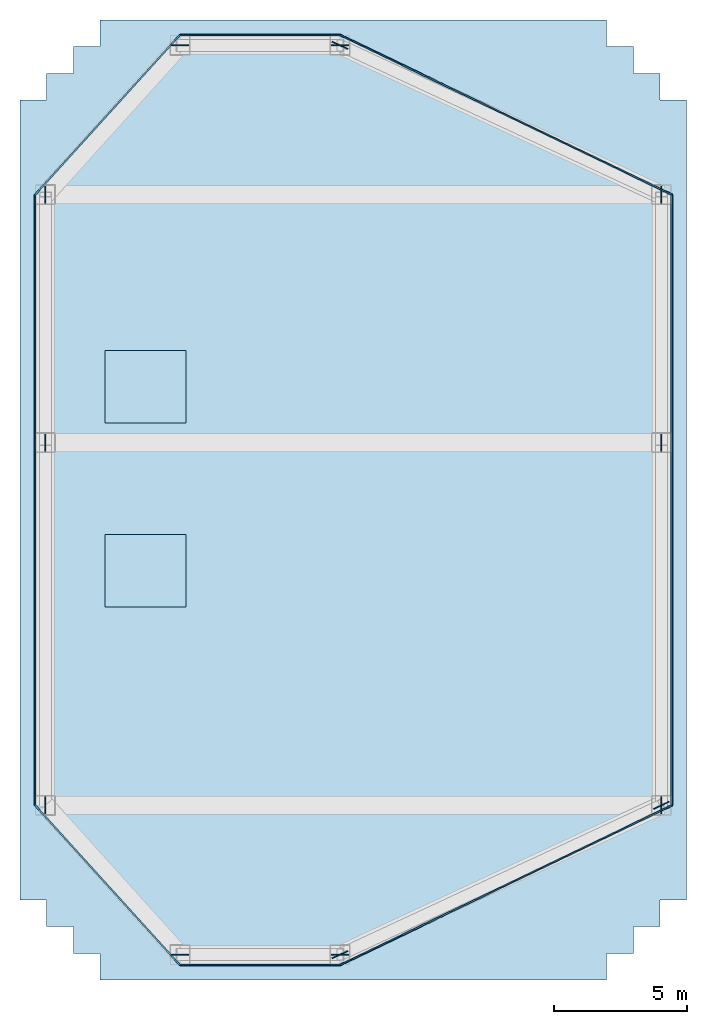
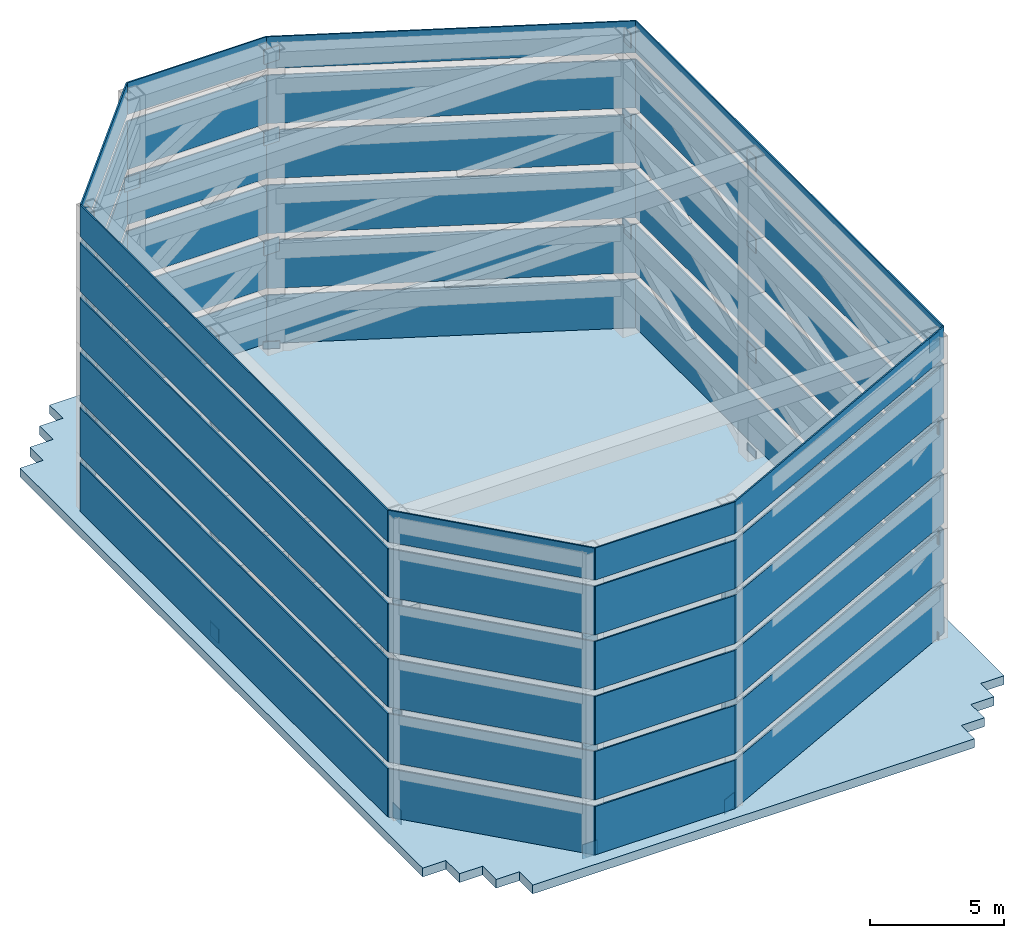
# One storey, part 2 of 2: 83 plates, 3 slabs.
"""IFC4 building model written with IfcOpenShell, lengths in metres."""

from ifc_helpers import new_model, si_unit, direction, frame, origin, origin_2d, place, context, subcontext, project, spatial, polyline, rectangle, outline, extrude, source, transform, mapped, material, layer, layer_set, type_object, element, save


model = new_model("IFC4")

# Units and contexts
model_context = context("Model", 3, precision=1e-05, world=origin(), true_north=direction((0.0, 1.0)))
body_context = subcontext(model_context, "Body", "Model", "MODEL_VIEW")
ifc_project = project(units=[si_unit("LENGTHUNIT", "METRE"), si_unit("AREAUNIT", "SQUARE_METRE"), si_unit("VOLUMEUNIT", "CUBIC_METRE"), si_unit("PLANEANGLEUNIT", "RADIAN"), si_unit("MASSUNIT", "GRAM", prefix="KILO")], contexts=[model_context])

# Site, building, storey
site_placement = place(None, origin())
site = spatial("IfcSite", under=ifc_project, at=site_placement, CompositionType="ELEMENT")
building_placement = place(site_placement, origin())
building = spatial("IfcBuilding", under=site, at=building_placement, Name="Ocotamira Hotel", CompositionType="ELEMENT")
storey_placement = place(building_placement, frame((0.0, 0.0, 314.60009765625)))
storey = spatial("IfcBuildingStorey", under=building, at=storey_placement, Name="ROOF", CompositionType="ELEMENT", Elevation=314.60009765625)

# Slabs
ifc_material_1 = material(Name="Concrete C40/50", Category="concrete")
ifc_layer_1 = layer(ifc_material_1, 0.219970703125)
ifc_layer_set_1 = layer_set([ifc_layer_1], Name="Concrete C40/50")
slab_type_1 = type_object("IfcSlabType", Name="SLB-ROOF-220", PredefinedType="ROOF", material=ifc_layer_set_1)
slab_1_placement = place(storey_placement, frame((0.0, 0.0, 3.39990234375)))
element("IfcSlab", 1, at=slab_1_placement, inside=storey, type_object=slab_type_1, Name="FSAE 1 Overrun Roof Cap Slab", PredefinedType="ROOF", context=body_context, shape_type="SweptSolid", body=[
    extrude(outline(polyline([(11.179931640625, 21.989990234375), (14.219970703125, 21.989990234375), (14.219970703125, 24.7099609375), (11.179931640625, 24.7099609375), (11.179931640625, 21.989990234375)])), origin(), (0.0, 0.0, 1.0), 0.219970703125),
])
slab_2_placement = place(storey_placement, frame((0.0, 0.0, 3.39990234375)))
element("IfcSlab", 2, at=slab_2_placement, inside=storey, type_object=slab_type_1, Name="FSAE 2 Overrun Roof Cap Slab", PredefinedType="ROOF", context=body_context, shape_type="SweptSolid", body=[
    extrude(outline(polyline([(11.179931640625, 28.889892578125), (14.219970703125, 28.889892578125), (14.219970703125, 31.610107421875), (11.179931640625, 31.610107421875), (11.179931640625, 28.889892578125)])), origin(), (0.0, 0.0, 1.0), 0.219970703125),
])
ifc_material_2 = material(Name="Concrete C50/60", Category="concrete")
ifc_layer_2 = layer(ifc_material_2, 0.39990234375)
ifc_layer_set_2 = layer_set([ifc_layer_2], Name="Concrete C50/60")
slab_type_2 = type_object("IfcSlabType", Name="SLB-ROOF-400", PredefinedType="ROOF", material=ifc_layer_set_2)
slab_3_placement = place(storey_placement, origin())
element("IfcSlab", 3, at=slab_3_placement, inside=storey, type_object=slab_type_2, Name="Mechanical Penthouse Roof Deck", PredefinedType="ROOF", context=body_context, shape_type="SweptSolid", body=[
    extrude(outline(polyline([(11.0, 8.0), (30.0, 8.0), (30.0, 9.0), (31.0, 9.0), (31.0, 10.0), (32.0, 10.0), (32.0, 11.0), (33.0, 11.0), (33.0, 41.0), (32.0, 41.0), (32.0, 42.0), (31.0, 42.0), (31.0, 43.0), (30.0, 43.0), (30.0, 44.0), (11.0, 44.0), (11.0, 43.0), (10.0, 43.0), (10.0, 42.0), (9.0, 42.0), (9.0, 41.0), (8.0, 41.0), (8.0, 11.0), (9.0, 11.0), (9.0, 10.0), (10.0, 10.0), (10.0, 9.0), (11.0, 9.0), (11.0, 8.0)]), holes=[polyline([(11.5, 22.199951171875), (14.0, 22.199951171875), (14.0, 24.5), (11.5, 24.5), (11.5, 22.199951171875)]), polyline([(11.5, 29.10009765625), (14.0, 29.10009765625), (14.0, 31.39990234375), (11.5, 31.39990234375), (11.5, 29.10009765625)])]), origin(), (0.0, 0.0, 1.0), 0.39990234375),
])

# Plates
ifc_material_3 = material(Name="Pale-metal coated steel ASTM A572 Grade 50", Category="steel")
ifc_layer_3 = layer(ifc_material_3, 0.0400390625)
ifc_layer_set_3 = layer_set([ifc_layer_3], Name="Pale-metal coated steel ASTM A572 Grade 50")
plate_type_1 = type_object("IfcPlateType", Name="PLT-GUSSET-40", PredefinedType="SHEET", material=ifc_layer_set_3)
shared_shape_1 = source(origin(), body_context, "Body", "SweptSolid", [
    extrude(rectangle(XDim=0.64990234375, YDim=0.0400390625, at=origin_2d()), origin(), (0.0, 0.0, 1.0), 0.64990234375),
])
for number, where, z_axis, x_axis, name in (
    (4, (14.0, 8.949951171875, 0.074951171875), (0.0, 0.0, 1.0), (1.0, 0.0, 0.0), "ROOF CROWN FRAME BRACE B5.1 End Gusset A"),
    (5, (20.0, 8.949951171875, 4.724853515625), (0.0, 0.0, 1.0), (1.0, 0.0, 0.0), "ROOF CROWN FRAME BRACE B5.1 End Gusset B"),
    (6, (14.0, 8.949951171875, 4.724853515625), (0.0, 0.0, 1.0), (1.0, 0.0, 0.0), "ROOF CROWN FRAME BRACE B5.2 End Gusset A"),
    (7, (20.0, 8.949951171875, 9.724853515625), (0.0, 0.0, 1.0), (1.0, 0.0, 0.0), "ROOF CROWN FRAME BRACE B5.2 End Gusset B"),
    (8, (14.0, 8.949951171875, 9.724853515625), (0.0, 0.0, 1.0), (1.0, 0.0, 0.0), "ROOF CROWN FRAME BRACE B5.3 End Gusset A"),
    (9, (20.0, 8.949951171875, 13.425048828125), (0.0, 0.0, 1.0), (1.0, 0.0, 0.0), "ROOF CROWN FRAME BRACE B5.3 End Gusset B"),
    (10, (20.0, 8.949951171875, 0.074951171875), (0.0, 0.0, 1.0), (0.90682343613, 0.421510682766, 0.0), "ROOF CROWN FRAME BRACE B6.1 End Gusset A"),
    (11, (32.050048828125, 14.550048828125, 13.425048828125), (0.0, 0.0, 1.0), (0.90682343613, 0.421510682766, 0.0), "ROOF CROWN FRAME BRACE B6.3 End Gusset B"),
    (12, (14.0, 43.050048828125, 0.074951171875), (0.0, 0.0, 1.0), (1.0, 0.0, 0.0), "ROOF CROWN FRAME BRACE B7.1 End Gusset A"),
    (13, (20.0, 43.050048828125, 4.724853515625), (0.0, 0.0, 1.0), (1.0, 0.0, 0.0), "ROOF CROWN FRAME BRACE B7.1 End Gusset B"),
    (14, (14.0, 43.050048828125, 4.724853515625), (0.0, 0.0, 1.0), (1.0, 0.0, 0.0), "ROOF CROWN FRAME BRACE B7.2 End Gusset A"),
    (15, (20.0, 43.050048828125, 9.724853515625), (0.0, 0.0, 1.0), (1.0, 0.0, 0.0), "ROOF CROWN FRAME BRACE B7.2 End Gusset B"),
    (16, (14.0, 43.050048828125, 9.724853515625), (0.0, 0.0, 1.0), (1.0, 0.0, 0.0), "ROOF CROWN FRAME BRACE B7.3 End Gusset A"),
    (17, (20.0, 43.050048828125, 13.425048828125), (0.0, 0.0, 1.0), (1.0, 0.0, 0.0), "ROOF CROWN FRAME BRACE B7.3 End Gusset B"),
    (18, (20.0, 43.050048828125, 0.074951171875), (0.0, 0.0, 1.0), (0.90682343613, -0.421510682766, 0.0), "ROOF CROWN FRAME BRACE B8.1 End Gusset A"),
):
    element("IfcPlate", number, at=place(storey_placement, frame(where, z_axis=z_axis, x_axis=x_axis)), inside=storey, type_object=plate_type_1, Name=name, PredefinedType="SHEET", context=body_context, shape_type="MappedRepresentation", body=[
        mapped(shared_shape_1, transform((0.0, 0.0, 0.0), scale=1.0)),
    ])
shared_shape_2 = source(origin(), body_context, "Body", "SweptSolid", [
    extrude(rectangle(XDim=0.0400390625, YDim=0.64990234375, at=origin_2d()), origin(), (0.0, 0.0, 1.0), 0.64990234375),
])
for number, where, z_axis, x_axis, name in (
    (19, (8.949951171875, 14.550048828125, 0.074951171875), (0.0, 0.0, 1.0), (1.0, 0.0, 0.0), "ROOF CROWN FRAME BRACE B1.1 End Gusset A"),
    (20, (8.949951171875, 28.14990234375, 4.724853515625), (0.0, 0.0, 1.0), (1.0, 0.0, 0.0), "ROOF CROWN FRAME BRACE B1.1 End Gusset B"),
    (21, (8.949951171875, 14.550048828125, 4.724853515625), (0.0, 0.0, 1.0), (1.0, 0.0, 0.0), "ROOF CROWN FRAME BRACE B1.2 End Gusset A"),
    (22, (8.949951171875, 28.14990234375, 9.724853515625), (0.0, 0.0, 1.0), (1.0, 0.0, 0.0), "ROOF CROWN FRAME BRACE B1.2 End Gusset B"),
    (23, (8.949951171875, 14.550048828125, 9.724853515625), (0.0, 0.0, 1.0), (1.0, 0.0, 0.0), "ROOF CROWN FRAME BRACE B1.3 End Gusset A"),
    (24, (8.949951171875, 28.14990234375, 13.425048828125), (0.0, 0.0, 1.0), (1.0, 0.0, 0.0), "ROOF CROWN FRAME BRACE B1.3 End Gusset B"),
    (25, (8.949951171875, 28.14990234375, 0.074951171875), (0.0, 0.0, 1.0), (1.0, 0.0, 0.0), "ROOF CROWN FRAME BRACE B2.1 End Gusset A"),
    (26, (8.949951171875, 37.449951171875, 4.724853515625), (0.0, 0.0, 1.0), (1.0, 0.0, 0.0), "ROOF CROWN FRAME BRACE B2.1 End Gusset B"),
    (27, (8.949951171875, 37.449951171875, 9.724853515625), (0.0, 0.0, 1.0), (1.0, 0.0, 0.0), "ROOF CROWN FRAME BRACE B2.2 End Gusset B"),
    (28, (8.949951171875, 37.449951171875, 13.425048828125), (0.0, 0.0, 1.0), (1.0, 0.0, 0.0), "ROOF CROWN FRAME BRACE B2.3 End Gusset B"),
    (29, (32.050048828125, 14.550048828125, 0.074951171875), (0.0, 0.0, 1.0), (1.0, 0.0, 0.0), "ROOF CROWN FRAME BRACE B3.1 End Gusset A"),
    (30, (32.050048828125, 28.14990234375, 4.724853515625), (0.0, 0.0, 1.0), (1.0, 0.0, 0.0), "ROOF CROWN FRAME BRACE B3.1 End Gusset B"),
    (31, (32.050048828125, 14.550048828125, 4.724853515625), (0.0, 0.0, 1.0), (1.0, 0.0, 0.0), "ROOF CROWN FRAME BRACE B3.2 End Gusset A"),
    (32, (32.050048828125, 28.14990234375, 9.724853515625), (0.0, 0.0, 1.0), (1.0, 0.0, 0.0), "ROOF CROWN FRAME BRACE B3.2 End Gusset B"),
    (33, (32.050048828125, 14.550048828125, 9.724853515625), (0.0, 0.0, 1.0), (1.0, 0.0, 0.0), "ROOF CROWN FRAME BRACE B3.3 End Gusset A"),
    (34, (32.050048828125, 28.14990234375, 13.425048828125), (0.0, 0.0, 1.0), (1.0, 0.0, 0.0), "ROOF CROWN FRAME BRACE B3.3 End Gusset B"),
    (35, (32.050048828125, 28.14990234375, 0.074951171875), (0.0, 0.0, 1.0), (1.0, 0.0, 0.0), "ROOF CROWN FRAME BRACE B4.1 End Gusset A"),
    (36, (32.050048828125, 37.449951171875, 4.724853515625), (0.0, 0.0, 1.0), (1.0, 0.0, 0.0), "ROOF CROWN FRAME BRACE B4.1 End Gusset B"),
    (37, (32.050048828125, 37.449951171875, 9.724853515625), (0.0, 0.0, 1.0), (1.0, 0.0, 0.0), "ROOF CROWN FRAME BRACE B4.2 End Gusset B"),
    (38, (32.050048828125, 37.449951171875, 13.425048828125), (0.0, 0.0, 1.0), (1.0, 0.0, 0.0), "ROOF CROWN FRAME BRACE B4.3 End Gusset B"),
):
    element("IfcPlate", number, at=place(storey_placement, frame(where, z_axis=z_axis, x_axis=x_axis)), inside=storey, type_object=plate_type_1, Name=name, PredefinedType="SHEET", context=body_context, shape_type="MappedRepresentation", body=[
        mapped(shared_shape_2, transform((0.0, 0.0, 0.0), scale=1.0)),
    ])
ifc_material_4 = material(Name="Perforated pale-metal anodised aluminium solar screen", Category="aluminium")
ifc_layer_4 = layer(ifc_material_4, 0.06005859375)
ifc_layer_set_4 = layer_set([ifc_layer_4], Name="Perforated pale-metal anodised aluminium solar screen")
plate_type_2 = type_object("IfcPlateType", Name="PLT-CROWN-SCR", PredefinedType="USERDEFINED", material=ifc_layer_set_4)
shared_shape_3 = source(origin(), body_context, "Body", "SweptSolid", [
    extrude(rectangle(XDim=22.89990234375, YDim=0.06005859375, at=origin_2d()), origin(), (0.0, 0.0, 1.0), 2.199951171875),
])
for number, where, z_axis, x_axis, name in (
    (39, (8.56005859375, 26.0, 0.39990234375), (0.0, 0.0, 1.0), (0.0, 1.0, 0.0), "CROWN SCREEN PANEL W TIER 1"),
    (40, (8.56005859375, 26.0, 2.89990234375), (0.0, 0.0, 1.0), (0.0, 1.0, 0.0), "CROWN SCREEN PANEL W TIER 2"),
    (41, (8.56005859375, 26.0, 5.39990234375), (0.0, 0.0, 1.0), (0.0, 1.0, 0.0), "CROWN SCREEN PANEL W TIER 3"),
    (42, (8.56005859375, 26.0, 7.89990234375), (0.0, 0.0, 1.0), (0.0, 1.0, 0.0), "CROWN SCREEN PANEL W TIER 4"),
    (43, (8.56005859375, 26.0, 10.39990234375), (0.0, 0.0, 1.0), (0.0, 1.0, 0.0), "CROWN SCREEN PANEL W TIER 5"),
    (44, (32.43994140625, 26.0, 0.39990234375), (0.0, 0.0, 1.0), (0.0, 1.0, 0.0), "CROWN SCREEN PANEL E TIER 1"),
    (45, (32.43994140625, 26.0, 2.89990234375), (0.0, 0.0, 1.0), (0.0, 1.0, 0.0), "CROWN SCREEN PANEL E TIER 2"),
    (46, (32.43994140625, 26.0, 5.39990234375), (0.0, 0.0, 1.0), (0.0, 1.0, 0.0), "CROWN SCREEN PANEL E TIER 3"),
    (47, (32.43994140625, 26.0, 7.89990234375), (0.0, 0.0, 1.0), (0.0, 1.0, 0.0), "CROWN SCREEN PANEL E TIER 4"),
    (48, (32.43994140625, 26.0, 10.39990234375), (0.0, 0.0, 1.0), (0.0, 1.0, 0.0), "CROWN SCREEN PANEL E TIER 5"),
):
    element("IfcPlate", number, at=place(storey_placement, frame(where, z_axis=z_axis, x_axis=x_axis)), inside=storey, type_object=plate_type_2, Name=name, ObjectType="CROWN SCREEN", PredefinedType="USERDEFINED", context=body_context, shape_type="MappedRepresentation", body=[
        mapped(shared_shape_3, transform((0.0, 0.0, 0.0), scale=1.0)),
    ])
shared_shape_4 = source(origin(), body_context, "Body", "SweptSolid", [
    extrude(rectangle(XDim=22.89990234375, YDim=0.06005859375, at=origin_2d()), origin(), (0.0, 0.0, 1.0), 1.449951171875),
])
for number, where, z_axis, x_axis, name in (
    (49, (8.56005859375, 26.0, 12.89990234375), (0.0, 0.0, 1.0), (0.0, 1.0, 0.0), "CROWN SCREEN PANEL W TIER 6"),
    (50, (32.43994140625, 26.0, 12.89990234375), (0.0, 0.0, 1.0), (0.0, 1.0, 0.0), "CROWN SCREEN PANEL E TIER 6"),
):
    element("IfcPlate", number, at=place(storey_placement, frame(where, z_axis=z_axis, x_axis=x_axis)), inside=storey, type_object=plate_type_2, Name=name, ObjectType="CROWN SCREEN", PredefinedType="USERDEFINED", context=body_context, shape_type="MappedRepresentation", body=[
        mapped(shared_shape_4, transform((0.0, 0.0, 0.0), scale=1.0)),
    ])
shared_shape_5 = source(origin(), body_context, "Body", "SweptSolid", [
    extrude(rectangle(XDim=8.091552734375, YDim=0.06005859375, at=origin_2d()), origin(), (0.0, 0.0, 1.0), 2.199951171875),
])
for number, where, z_axis, x_axis, name in (
    (51, (11.280029296875, 40.445068359375, 0.39990234375), (0.0, 0.0, 1.0), (0.671720589323, 0.740804596287, 0.0), "CROWN SCREEN PANEL NW TIER 1"),
    (52, (11.280029296875, 40.445068359375, 2.89990234375), (0.0, 0.0, 1.0), (0.671720589323, 0.740804596287, 0.0), "CROWN SCREEN PANEL NW TIER 2"),
    (53, (11.280029296875, 40.445068359375, 5.39990234375), (0.0, 0.0, 1.0), (0.671720589323, 0.740804596287, 0.0), "CROWN SCREEN PANEL NW TIER 3"),
    (54, (11.280029296875, 40.445068359375, 7.89990234375), (0.0, 0.0, 1.0), (0.671720589323, 0.740804596287, 0.0), "CROWN SCREEN PANEL NW TIER 4"),
    (55, (11.280029296875, 40.445068359375, 10.39990234375), (0.0, 0.0, 1.0), (0.671720589323, 0.740804596287, 0.0), "CROWN SCREEN PANEL NW TIER 5"),
    (56, (11.280029296875, 11.554931640625, 0.39990234375), (0.0, 0.0, 1.0), (0.671720589323, -0.740804596287, 0.0), "CROWN SCREEN PANEL SW TIER 1"),
    (57, (11.280029296875, 11.554931640625, 2.89990234375), (0.0, 0.0, 1.0), (0.671720589323, -0.740804596287, 0.0), "CROWN SCREEN PANEL SW TIER 2"),
    (58, (11.280029296875, 11.554931640625, 5.39990234375), (0.0, 0.0, 1.0), (0.671720589323, -0.740804596287, 0.0), "CROWN SCREEN PANEL SW TIER 3"),
    (59, (11.280029296875, 11.554931640625, 7.89990234375), (0.0, 0.0, 1.0), (0.671720589323, -0.740804596287, 0.0), "CROWN SCREEN PANEL SW TIER 4"),
    (60, (11.280029296875, 11.554931640625, 10.39990234375), (0.0, 0.0, 1.0), (0.671720589323, -0.740804596287, 0.0), "CROWN SCREEN PANEL SW TIER 5"),
):
    element("IfcPlate", number, at=place(storey_placement, frame(where, z_axis=z_axis, x_axis=x_axis)), inside=storey, type_object=plate_type_2, Name=name, ObjectType="CROWN SCREEN", PredefinedType="USERDEFINED", context=body_context, shape_type="MappedRepresentation", body=[
        mapped(shared_shape_5, transform((0.0, 0.0, 0.0), scale=1.0)),
    ])
shared_shape_6 = source(origin(), body_context, "Body", "SweptSolid", [
    extrude(rectangle(XDim=8.091552734375, YDim=0.06005859375, at=origin_2d()), origin(), (0.0, 0.0, 1.0), 1.449951171875),
])
for number, where, z_axis, x_axis, name in (
    (61, (11.280029296875, 40.445068359375, 12.89990234375), (0.0, 0.0, 1.0), (0.671720589323, 0.740804596287, 0.0), "CROWN SCREEN PANEL NW TIER 6"),
    (62, (11.280029296875, 11.554931640625, 12.89990234375), (0.0, 0.0, 1.0), (0.671720589323, -0.740804596287, 0.0), "CROWN SCREEN PANEL SW TIER 6"),
):
    element("IfcPlate", number, at=place(storey_placement, frame(where, z_axis=z_axis, x_axis=x_axis)), inside=storey, type_object=plate_type_2, Name=name, ObjectType="CROWN SCREEN", PredefinedType="USERDEFINED", context=body_context, shape_type="MappedRepresentation", body=[
        mapped(shared_shape_6, transform((0.0, 0.0, 0.0), scale=1.0)),
    ])
shared_shape_7 = source(origin(), body_context, "Body", "SweptSolid", [
    extrude(rectangle(XDim=6.0, YDim=0.06005859375, at=origin_2d()), origin(), (0.0, 0.0, 1.0), 2.199951171875),
])
for number, where, z_axis, x_axis, name in (
    (63, (17.0, 43.43994140625, 0.39990234375), (0.0, 0.0, 1.0), (1.0, 0.0, 0.0), "CROWN SCREEN PANEL N TIER 1"),
    (64, (17.0, 43.43994140625, 2.89990234375), (0.0, 0.0, 1.0), (1.0, 0.0, 0.0), "CROWN SCREEN PANEL N TIER 2"),
    (65, (17.0, 43.43994140625, 5.39990234375), (0.0, 0.0, 1.0), (1.0, 0.0, 0.0), "CROWN SCREEN PANEL N TIER 3"),
    (66, (17.0, 43.43994140625, 7.89990234375), (0.0, 0.0, 1.0), (1.0, 0.0, 0.0), "CROWN SCREEN PANEL N TIER 4"),
    (67, (17.0, 43.43994140625, 10.39990234375), (0.0, 0.0, 1.0), (1.0, 0.0, 0.0), "CROWN SCREEN PANEL N TIER 5"),
    (68, (17.0, 8.56005859375, 0.39990234375), (0.0, 0.0, 1.0), (1.0, 0.0, 0.0), "CROWN SCREEN PANEL S TIER 1"),
    (69, (17.0, 8.56005859375, 2.89990234375), (0.0, 0.0, 1.0), (1.0, 0.0, 0.0), "CROWN SCREEN PANEL S TIER 2"),
    (70, (17.0, 8.56005859375, 5.39990234375), (0.0, 0.0, 1.0), (1.0, 0.0, 0.0), "CROWN SCREEN PANEL S TIER 3"),
    (71, (17.0, 8.56005859375, 7.89990234375), (0.0, 0.0, 1.0), (1.0, 0.0, 0.0), "CROWN SCREEN PANEL S TIER 4"),
    (72, (17.0, 8.56005859375, 10.39990234375), (0.0, 0.0, 1.0), (1.0, 0.0, 0.0), "CROWN SCREEN PANEL S TIER 5"),
):
    element("IfcPlate", number, at=place(storey_placement, frame(where, z_axis=z_axis, x_axis=x_axis)), inside=storey, type_object=plate_type_2, Name=name, ObjectType="CROWN SCREEN", PredefinedType="USERDEFINED", context=body_context, shape_type="MappedRepresentation", body=[
        mapped(shared_shape_7, transform((0.0, 0.0, 0.0), scale=1.0)),
    ])
shared_shape_8 = source(origin(), body_context, "Body", "SweptSolid", [
    extrude(rectangle(XDim=6.0, YDim=0.06005859375, at=origin_2d()), origin(), (0.0, 0.0, 1.0), 1.449951171875),
])
for number, where, z_axis, x_axis, name in (
    (73, (17.0, 43.43994140625, 12.89990234375), (0.0, 0.0, 1.0), (1.0, 0.0, 0.0), "CROWN SCREEN PANEL N TIER 6"),
    (74, (17.0, 8.56005859375, 12.89990234375), (0.0, 0.0, 1.0), (1.0, 0.0, 0.0), "CROWN SCREEN PANEL S TIER 6"),
):
    element("IfcPlate", number, at=place(storey_placement, frame(where, z_axis=z_axis, x_axis=x_axis)), inside=storey, type_object=plate_type_2, Name=name, ObjectType="CROWN SCREEN", PredefinedType="USERDEFINED", context=body_context, shape_type="MappedRepresentation", body=[
        mapped(shared_shape_8, transform((0.0, 0.0, 0.0), scale=1.0)),
    ])
shared_shape_9 = source(origin(), body_context, "Body", "SweptSolid", [
    extrude(rectangle(XDim=13.806884765625, YDim=0.06005859375, at=origin_2d()), origin(), (0.0, 0.0, 1.0), 2.199951171875),
])
for number, where, z_axis, x_axis, name in (
    (75, (26.219970703125, 40.445068359375, 0.39990234375), (0.0, 0.0, 1.0), (0.901077021322, -0.433659084588, 0.0), "CROWN SCREEN PANEL NE TIER 1"),
    (76, (26.219970703125, 40.445068359375, 2.89990234375), (0.0, 0.0, 1.0), (0.901077021322, -0.433659084588, 0.0), "CROWN SCREEN PANEL NE TIER 2"),
    (77, (26.219970703125, 40.445068359375, 5.39990234375), (0.0, 0.0, 1.0), (0.901077021322, -0.433659084588, 0.0), "CROWN SCREEN PANEL NE TIER 3"),
    (78, (26.219970703125, 40.445068359375, 7.89990234375), (0.0, 0.0, 1.0), (0.901077021322, -0.433659084588, 0.0), "CROWN SCREEN PANEL NE TIER 4"),
    (79, (26.219970703125, 40.445068359375, 10.39990234375), (0.0, 0.0, 1.0), (0.901077021322, -0.433659084588, 0.0), "CROWN SCREEN PANEL NE TIER 5"),
    (80, (26.219970703125, 11.554931640625, 0.39990234375), (0.0, 0.0, 1.0), (0.901077021322, 0.433659084588, 0.0), "CROWN SCREEN PANEL SE TIER 1"),
    (81, (26.219970703125, 11.554931640625, 2.89990234375), (0.0, 0.0, 1.0), (0.901077021322, 0.433659084588, 0.0), "CROWN SCREEN PANEL SE TIER 2"),
    (82, (26.219970703125, 11.554931640625, 5.39990234375), (0.0, 0.0, 1.0), (0.901077021322, 0.433659084588, 0.0), "CROWN SCREEN PANEL SE TIER 3"),
    (83, (26.219970703125, 11.554931640625, 7.89990234375), (0.0, 0.0, 1.0), (0.901077021322, 0.433659084588, 0.0), "CROWN SCREEN PANEL SE TIER 4"),
    (84, (26.219970703125, 11.554931640625, 10.39990234375), (0.0, 0.0, 1.0), (0.901077021322, 0.433659084588, 0.0), "CROWN SCREEN PANEL SE TIER 5"),
):
    element("IfcPlate", number, at=place(storey_placement, frame(where, z_axis=z_axis, x_axis=x_axis)), inside=storey, type_object=plate_type_2, Name=name, ObjectType="CROWN SCREEN", PredefinedType="USERDEFINED", context=body_context, shape_type="MappedRepresentation", body=[
        mapped(shared_shape_9, transform((0.0, 0.0, 0.0), scale=1.0)),
    ])
shared_shape_10 = source(origin(), body_context, "Body", "SweptSolid", [
    extrude(rectangle(XDim=13.806884765625, YDim=0.06005859375, at=origin_2d()), origin(), (0.0, 0.0, 1.0), 1.449951171875),
])
for number, where, z_axis, x_axis, name in (
    (85, (26.219970703125, 40.445068359375, 12.89990234375), (0.0, 0.0, 1.0), (0.901077021322, -0.433659084588, 0.0), "CROWN SCREEN PANEL NE TIER 6"),
    (86, (26.219970703125, 11.554931640625, 12.89990234375), (0.0, 0.0, 1.0), (0.901077021322, 0.433659084588, 0.0), "CROWN SCREEN PANEL SE TIER 6"),
):
    element("IfcPlate", number, at=place(storey_placement, frame(where, z_axis=z_axis, x_axis=x_axis)), inside=storey, type_object=plate_type_2, Name=name, ObjectType="CROWN SCREEN", PredefinedType="USERDEFINED", context=body_context, shape_type="MappedRepresentation", body=[
        mapped(shared_shape_10, transform((0.0, 0.0, 0.0), scale=1.0)),
    ])

save(model, "model.ifc")
